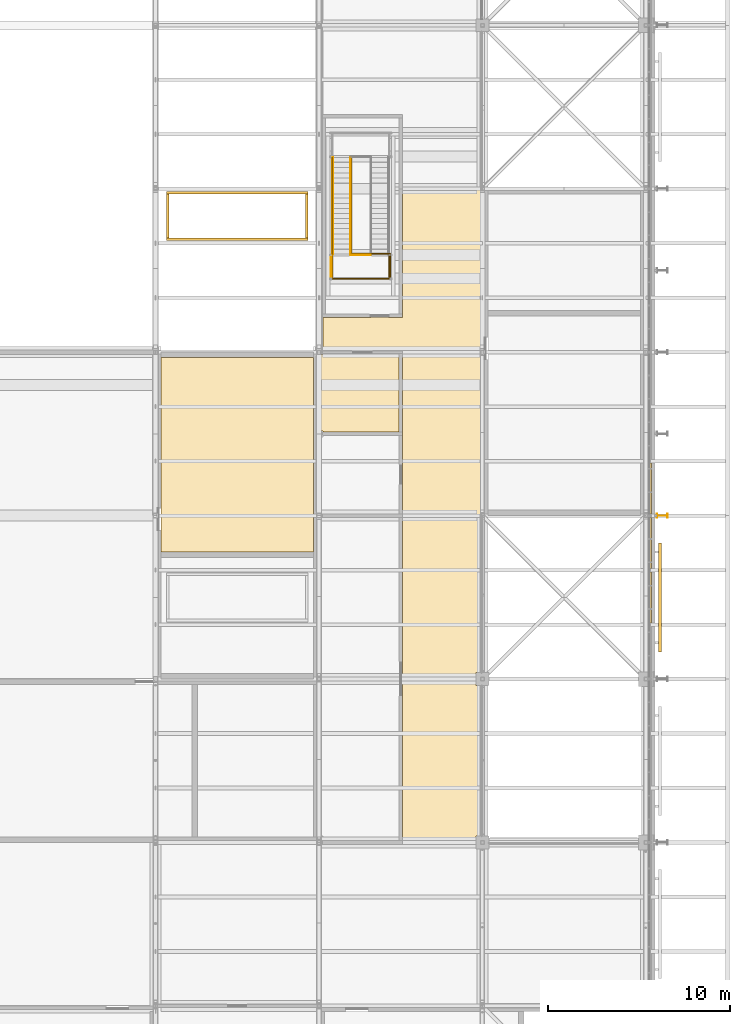
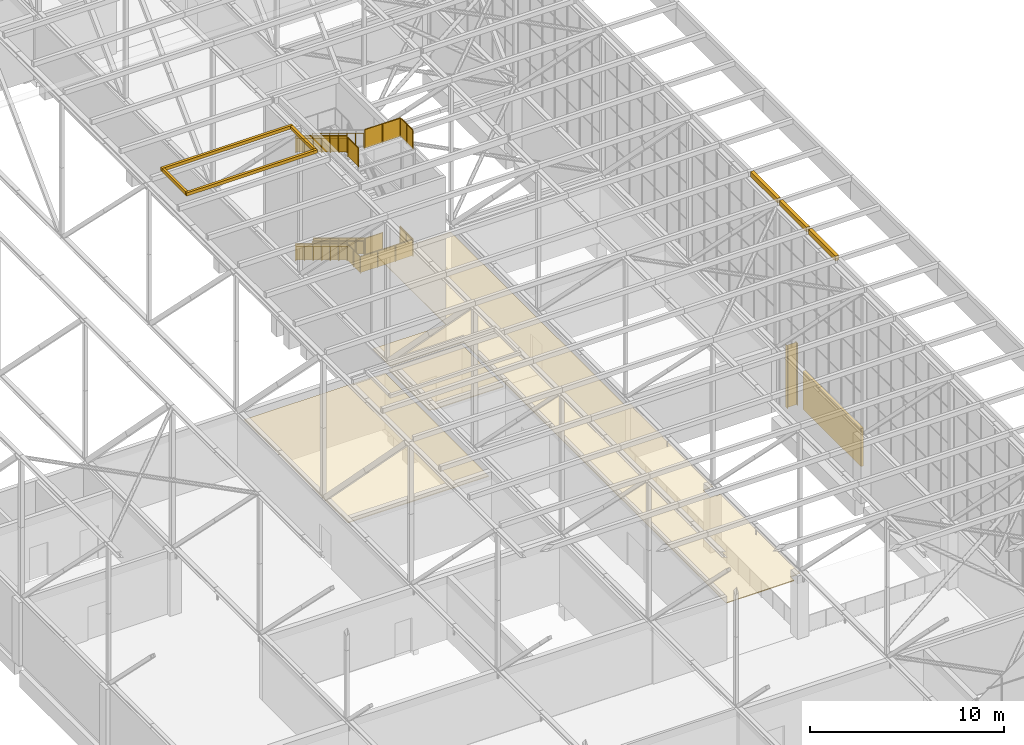
# One storey, part 638 of 646: 11 railings, 10 coverings, 2 shading devices.
"""IFC4 building model written with IfcOpenShell, lengths in metres."""

from ifc_helpers import new_model, si_unit, direction, frame, origin, origin_2d, place, context, subcontext, project, spatial, polyline, rectangle, circle, i_section, outline, extrude, material, layer, layer_set, material_profile, profile_set, type_object, element, save


model = new_model("IFC4")

# Units and contexts
model_context = context("Model", 3, precision=1e-05, world=origin(), true_north=direction((0.0, 1.0)))
body_context = subcontext(model_context, "Body", "Model", "MODEL_VIEW")
ifc_project = project(units=[si_unit("LENGTHUNIT", "METRE"), si_unit("AREAUNIT", "SQUARE_METRE"), si_unit("VOLUMEUNIT", "CUBIC_METRE"), si_unit("PLANEANGLEUNIT", "RADIAN"), si_unit("MASSUNIT", "GRAM", prefix="KILO")], contexts=[model_context])

# Site, building, storey
site_placement = place(None, origin())
site = spatial("IfcSite", under=ifc_project, at=site_placement, CompositionType="ELEMENT")
building_placement = place(site_placement, origin())
building = spatial("IfcBuilding", under=site, at=building_placement, Name="Silverbay Arena", CompositionType="ELEMENT")
storey_placement = place(building_placement, frame((0.0, 0.0, 33.5)))
storey = spatial("IfcBuildingStorey", under=building, at=storey_placement, Name="L05", CompositionType="ELEMENT", Elevation=33.5)

# Railings
ifc_material_1 = material(Name="Stainless steel", Category="steel")
railing_type_1 = type_object("IfcRailingType", Name="Fascia-mounted guard 1250 overall", PredefinedType="GUARDRAIL", material=ifc_material_1)
railing_1_placement = place(storey_placement, frame((192.9208984375, 67.14990234375, 13.449951171875)))
element("IfcRailing", 1, at=railing_1_placement, inside=storey, type_object=railing_type_1, Name="Stair RA2 L05 to ROOF landing 4 fascia guard", PredefinedType="GUARDRAIL", context=body_context, shape_type="SweptSolid", body=[
    extrude(circle(Radius=0.02392578125, at=origin_2d()), frame((0.0, 0.0, 1.22607421875), z_axis=(0.0, 1.0, 0.0), x_axis=(-1.0, 0.0, 0.0)), (0.0, 0.0, 1.0), 1.27099609375),
    extrude(outline(polyline([(-0.008056640625, 0.050048828125), (0.6435546875, 0.050048828125), (0.6435546875, 1.202880859375), (-0.008056640625, 1.202880859375), (-0.008056640625, 0.050048828125)])), frame((-0.0029296875, 0.0, 0.0), z_axis=(1.0, 0.0, 0.0), x_axis=(0.0, 1.0, 0.0)), (0.0, 0.0, 1.0), 0.006103515625),
    extrude(outline(polyline([(-0.008056640625, 0.050048828125), (0.6435546875, 0.050048828125), (0.6435546875, 1.202880859375), (-0.008056640625, 1.202880859375), (-0.008056640625, 0.050048828125)])), frame((-0.0029296875, 0.635498046875, 0.0), z_axis=(1.0, 0.0, 0.0), x_axis=(0.0, 1.0, 0.0)), (0.0, 0.0, 1.0), 0.006103515625),
    extrude(circle(Radius=0.02392578125, at=origin_2d()), frame((0.0, 1.27099609375, 1.22607421875), z_axis=(-1.0, 0.0, 0.0), x_axis=(0.0, -1.0, 0.0)), (0.0, 0.0, 1.0), 2.14599609375),
    extrude(outline(polyline([(-0.008056640625, 0.050048828125), (1.0810546875, 0.050048828125), (1.0810546875, 1.202880859375), (-0.008056640625, 1.202880859375), (-0.008056640625, 0.050048828125)])), frame((0.0, 1.26806640625, 0.0), z_axis=(0.0, 1.0, 0.0), x_axis=(-1.0, 0.0, 0.0)), (0.0, 0.0, 1.0), 0.006103515625),
    extrude(outline(polyline([(-0.008056640625, 0.050048828125), (1.0810546875, 0.050048828125), (1.0810546875, 1.202880859375), (-0.008056640625, 1.202880859375), (-0.008056640625, 0.050048828125)])), frame((-1.072998046875, 1.26806640625, 0.0), z_axis=(0.0, 1.0, 0.0), x_axis=(-1.0, 0.0, 0.0)), (0.0, 0.0, 1.0), 0.006103515625),
    extrude(circle(Radius=0.02099609375, at=origin_2d()), origin(), (0.0, 0.0, 1.0), 1.201904296875),
    extrude(circle(Radius=0.02099609375, at=origin_2d()), frame((0.0, 0.635498046875, 0.0)), (0.0, 0.0, 1.0), 1.201904296875),
    extrude(circle(Radius=0.02099609375, at=origin_2d()), frame((0.0, 1.27099609375, 0.0)), (0.0, 0.0, 1.0), 1.201904296875),
    extrude(circle(Radius=0.02099609375, at=origin_2d()), frame((-1.072998046875, 1.27099609375, 0.0)), (0.0, 0.0, 1.0), 1.201904296875),
    extrude(circle(Radius=0.02099609375, at=origin_2d()), frame((-2.14599609375, 1.27099609375, 0.0)), (0.0, 0.0, 1.0), 1.201904296875),
])
railing_2_placement = place(storey_placement, frame((189.678955078125, 68.25, 13.449951171875)))
element("IfcRailing", 2, at=railing_2_placement, inside=storey, type_object=railing_type_1, Name="Stair RA2 L05 to ROOF landing 4 fascia guard", PredefinedType="GUARDRAIL", context=body_context, shape_type="SweptSolid", body=[
    extrude(circle(Radius=0.02392578125, at=origin_2d()), frame((0.0, 0.0, 1.22607421875), z_axis=(0.0, -1.0, 0.0), x_axis=(1.0, 0.0, 0.0)), (0.0, 0.0, 1.0), 1.10009765625),
    extrude(outline(polyline([(-0.008056640625, 0.050048828125), (1.108154296875, 0.050048828125), (1.108154296875, 1.202880859375), (-0.008056640625, 1.202880859375), (-0.008056640625, 0.050048828125)])), frame((0.0029296875, 0.0, 0.0), z_axis=(-1.0, 0.0, 0.0), x_axis=(0.0, -1.0, 0.0)), (0.0, 0.0, 1.0), 0.006103515625),
    extrude(circle(Radius=0.02099609375, at=origin_2d()), origin(), (0.0, 0.0, 1.0), 1.201904296875),
    extrude(circle(Radius=0.02099609375, at=origin_2d()), frame((0.0, -1.10009765625, 0.0)), (0.0, 0.0, 1.0), 1.201904296875),
])

# Coverings
ifc_material_2 = material(Name="Fire-resisting board ceiling")
ifc_layer_1 = layer(ifc_material_2, 0.050048828125)
ifc_layer_set_1 = layer_set([ifc_layer_1], Name="Fire-resisting board ceiling")
covering_type_1 = type_object("IfcCoveringType", Name="Fire-resisting ceiling EI 120", PredefinedType="CEILING", material=ifc_layer_set_1)
covering_1_placement = place(storey_placement, frame((0.0, 0.0, 3.5)))
element("IfcCovering", 3, at=covering_1_placement, inside=storey, type_object=covering_type_1, Name="Fire-resisting ceiling 10", PredefinedType="CEILING", context=body_context, shape_type="SweptSolid", body=[
    extrude(outline(polyline([(198.27001953125, 36.409912109375), (198.27001953125, 44.590087890625), (198.02001953125, 44.590087890625), (198.02001953125, 44.639892578125), (197.639892578125, 44.639892578125), (197.639892578125, 45.360107421875), (198.02001953125, 45.360107421875), (198.02001953125, 45.409912109375), (198.27001953125, 45.409912109375), (198.27001953125, 53.93994140625), (198.02001953125, 53.93994140625), (198.02001953125, 53.969970703125), (197.969970703125, 53.969970703125), (197.969970703125, 72.02001953125), (193.60009765625, 72.02001953125), (193.60009765625, 64.89990234375), (189.22998046875, 64.89990234375), (189.22998046875, 63.074951171875), (193.60009765625, 63.074951171875), (193.60009765625, 35.97998046875), (197.639892578125, 35.97998046875), (197.639892578125, 36.360107421875), (198.02001953125, 36.360107421875), (198.02001953125, 36.409912109375), (198.27001953125, 36.409912109375)])), origin(), (0.0, 0.0, 1.0), 0.050048828125),
])
covering_2_placement = place(storey_placement, frame((0.0, 0.0, 3.5)))
element("IfcCovering", 4, at=covering_2_placement, inside=storey, type_object=covering_type_1, Name="Fire-resisting ceiling 31", PredefinedType="CEILING", context=body_context, shape_type="SweptSolid", body=[
    extrude(outline(polyline([(189.0, 62.864990234375), (189.0, 58.659912109375), (189.22998046875, 58.659912109375), (189.22998046875, 58.60009765625), (193.39990234375, 58.60009765625), (193.39990234375, 62.925048828125), (189.22998046875, 62.925048828125), (189.22998046875, 62.864990234375), (189.0, 62.864990234375)])), origin(), (0.0, 0.0, 1.0), 0.050048828125),
])
covering_3_placement = place(storey_placement, frame((0.0, 0.0, 3.5)))
element("IfcCovering", 5, at=covering_3_placement, inside=storey, type_object=covering_type_1, Name="Fire-resisting ceiling 75", PredefinedType="CEILING", context=body_context, shape_type="SweptSolid", body=[
    extrude(outline(polyline([(188.699951171875, 52.0), (188.699951171875, 62.699951171875), (180.300048828125, 62.699951171875), (180.300048828125, 52.0), (188.699951171875, 52.0)])), origin(), (0.0, 0.0, 1.0), 0.050048828125),
])
ifc_material_3 = material(Name="Insulated metal cladding panel")
ifc_layer_2 = layer(ifc_material_3, 0.199951171875)
ifc_layer_set_2 = layer_set([ifc_layer_2], Name="Insulated metal cladding panel")
covering_type_2 = type_object("IfcCoveringType", Name="Gable head closer 200", PredefinedType="CLADDING", material=ifc_layer_set_2)
covering_4_placement = place(storey_placement, frame((0.0, 0.0, 13.0)))
element("IfcCovering", 6, at=covering_4_placement, inside=storey, type_object=covering_type_2, Name="ROOF GABLE HEAD CLOSER east 14", PredefinedType="CLADDING", context=body_context, shape_type="SweptSolid", body=[
    extrude(outline(polyline([(207.110107421875, 48.10009765625), (207.31005859375, 48.10009765625), (207.31005859375, 50.89990234375), (207.110107421875, 50.89990234375), (207.110107421875, 48.10009765625)])), origin(), (0.0, 0.0, 1.0), 0.300048828125),
])
covering_5_placement = place(storey_placement, frame((0.0, 0.0, 13.0)))
element("IfcCovering", 7, at=covering_5_placement, inside=storey, type_object=covering_type_2, Name="ROOF GABLE HEAD CLOSER east 15", PredefinedType="CLADDING", context=body_context, shape_type="SweptSolid", body=[
    extrude(outline(polyline([(207.110107421875, 51.10009765625), (207.31005859375, 51.10009765625), (207.31005859375, 53.89990234375), (207.110107421875, 53.89990234375), (207.110107421875, 51.10009765625)])), origin(), (0.0, 0.0, 1.0), 0.300048828125),
])
covering_6_placement = place(storey_placement, frame((0.0, 0.0, 13.0)))
element("IfcCovering", 8, at=covering_6_placement, inside=storey, type_object=covering_type_2, Name="ROOF GABLE HEAD CLOSER east 16", PredefinedType="CLADDING", context=body_context, shape_type="SweptSolid", body=[
    extrude(outline(polyline([(207.110107421875, 54.10009765625), (207.31005859375, 54.10009765625), (207.31005859375, 56.89990234375), (207.110107421875, 56.89990234375), (207.110107421875, 54.10009765625)])), origin(), (0.0, 0.0, 1.0), 0.300048828125),
])

# Shading device
ifc_material_4 = material(Name="Aluminium", Category="aluminium")
shading_device_type_1 = type_object("IfcShadingDeviceType", Name="Louvre screen 6000 x 2400", PredefinedType="JALOUSIE", material=ifc_material_4)
shading_device_1_placement = place(storey_placement, frame((207.77490234375, 49.5, 0.800048828125), z_axis=(0.0, 0.0, 1.0), x_axis=(0.0, 1.0, 0.0)))
element("IfcShadingDevice", 9, at=shading_device_1_placement, inside=storey, type_object=shading_device_type_1, Name="East plant louvre L05 bay 4", PredefinedType="JALOUSIE", context=body_context, shape_type="SweptSolid", body=[
    extrude(rectangle(XDim=6.0, YDim=0.14990234375, at=origin_2d()), origin(), (0.0, 0.0, 1.0), 2.39990234375),
])

# Coverings
ifc_material_5 = material(Name="Insulated metal curb")
ifc_layer_3 = layer(ifc_material_5, 0.14990234375)
ifc_layer_set_3 = layer_set([ifc_layer_3], Name="Insulated metal curb")
covering_type_3 = type_object("IfcCoveringType", Name="Roof light curb 150", PredefinedType="CLADDING", material=ifc_layer_set_3)
covering_7_placement = place(storey_placement, frame((0.0, 0.0, 13.60009765625)))
element("IfcCovering", 10, at=covering_7_placement, inside=storey, type_object=covering_type_3, Name="ROOF LIGHT CURB 04 S", PredefinedType="CLADDING", context=body_context, shape_type="SweptSolid", body=[
    extrude(outline(polyline([(180.60009765625, 69.14990234375), (188.39990234375, 69.14990234375), (188.39990234375, 69.300048828125), (180.60009765625, 69.300048828125), (180.60009765625, 69.14990234375)])), origin(), (0.0, 0.0, 1.0), 0.199951171875),
])
covering_8_placement = place(storey_placement, frame((0.0, 0.0, 13.60009765625)))
element("IfcCovering", 11, at=covering_8_placement, inside=storey, type_object=covering_type_3, Name="ROOF LIGHT CURB 04 N", PredefinedType="CLADDING", context=body_context, shape_type="SweptSolid", body=[
    extrude(outline(polyline([(180.60009765625, 71.699951171875), (188.39990234375, 71.699951171875), (188.39990234375, 71.85009765625), (180.60009765625, 71.85009765625), (180.60009765625, 71.699951171875)])), origin(), (0.0, 0.0, 1.0), 0.199951171875),
])
covering_9_placement = place(storey_placement, frame((0.0, 0.0, 13.60009765625)))
element("IfcCovering", 12, at=covering_9_placement, inside=storey, type_object=covering_type_3, Name="ROOF LIGHT CURB 04 W", PredefinedType="CLADDING", context=body_context, shape_type="SweptSolid", body=[
    extrude(outline(polyline([(180.60009765625, 69.300048828125), (180.75, 69.300048828125), (180.75, 71.699951171875), (180.60009765625, 71.699951171875), (180.60009765625, 69.300048828125)])), origin(), (0.0, 0.0, 1.0), 0.199951171875),
])
covering_10_placement = place(storey_placement, frame((0.0, 0.0, 13.60009765625)))
element("IfcCovering", 13, at=covering_10_placement, inside=storey, type_object=covering_type_3, Name="ROOF LIGHT CURB 04 E", PredefinedType="CLADDING", context=body_context, shape_type="SweptSolid", body=[
    extrude(outline(polyline([(188.25, 69.300048828125), (188.39990234375, 69.300048828125), (188.39990234375, 71.699951171875), (188.25, 71.699951171875), (188.25, 69.300048828125)])), origin(), (0.0, 0.0, 1.0), 0.199951171875),
])

# Railings
ifc_material_6 = material(Name="Stainless steel", Category="steel")
railing_type_2 = type_object("IfcRailingType", Name="Stair guard 1100", PredefinedType="GUARDRAIL", material=ifc_material_6)
railing_3_placement = place(storey_placement, frame((190.77490234375, 73.719970703125, 3.570068359375)))
element("IfcRailing", 14, at=railing_3_placement, inside=storey, type_object=railing_type_2, Name="Stair RA2 L05 to ROOF flight 2 guard left", PredefinedType="GUARDRAIL", context=body_context, shape_type="SweptSolid", body=[
    extrude(circle(Radius=0.02392578125, at=origin_2d()), frame((0.0, 0.0, 1.076171875), z_axis=(0.0, -0.854791865604, 0.518970968838), x_axis=(1.0, 0.0, 0.0)), (0.0, 0.0, 1.0), 6.223876953125),
    extrude(outline(polyline([(-0.008056640625, 0.045166015625), (0.894775390625, 0.59326171875), (0.894775390625, 1.59619140625), (-0.008056640625, 1.048095703125), (-0.008056640625, 0.045166015625)])), frame((0.0029296875, 0.0, 0.0), z_axis=(-1.0, 0.0, 0.0), x_axis=(0.0, -1.0, 0.0)), (0.0, 0.0, 1.0), 0.006103515625),
    extrude(outline(polyline([(-0.008056640625, 0.58349609375), (0.894775390625, 1.131591796875), (0.894775390625, 2.134521484375), (-0.008056640625, 1.58642578125), (-0.008056640625, 0.58349609375)])), frame((0.0029296875, -0.88671875, 0.0), z_axis=(-1.0, 0.0, 0.0), x_axis=(0.0, -1.0, 0.0)), (0.0, 0.0, 1.0), 0.006103515625),
    extrude(outline(polyline([(-0.008056640625, 1.121826171875), (0.894775390625, 1.669921875), (0.894775390625, 2.6728515625), (-0.008056640625, 2.124755859375), (-0.008056640625, 1.121826171875)])), frame((0.0029296875, -1.7734375, 0.0), z_axis=(-1.0, 0.0, 0.0), x_axis=(0.0, -1.0, 0.0)), (0.0, 0.0, 1.0), 0.006103515625),
    extrude(outline(polyline([(-0.008056640625, 1.66015625), (0.894775390625, 2.208251953125), (0.894775390625, 3.211181640625), (-0.008056640625, 2.6630859375), (-0.008056640625, 1.66015625)])), frame((0.0029296875, -2.66015625, 0.0), z_axis=(-1.0, 0.0, 0.0), x_axis=(0.0, -1.0, 0.0)), (0.0, 0.0, 1.0), 0.006103515625),
    extrude(outline(polyline([(-0.008056640625, 2.198486328125), (0.894775390625, 2.74658203125), (0.894775390625, 3.74951171875), (-0.008056640625, 3.201416015625), (-0.008056640625, 2.198486328125)])), frame((0.0029296875, -3.546630859375, 0.0), z_axis=(-1.0, 0.0, 0.0), x_axis=(0.0, -1.0, 0.0)), (0.0, 0.0, 1.0), 0.006103515625),
    extrude(outline(polyline([(-0.008056640625, 2.73681640625), (0.894775390625, 3.284912109375), (0.894775390625, 4.287841796875), (-0.008056640625, 3.73974609375), (-0.008056640625, 2.73681640625)])), frame((0.0029296875, -4.433349609375, 0.0), z_axis=(-1.0, 0.0, 0.0), x_axis=(0.0, -1.0, 0.0)), (0.0, 0.0, 1.0), 0.006103515625),
    extrude(circle(Radius=0.02099609375, at=origin_2d()), origin(), (0.0, 0.0, 1.0), 1.052001953125),
    extrude(circle(Radius=0.02099609375, at=origin_2d()), frame((0.0, -0.88671875, 0.538330078125)), (0.0, 0.0, 1.0), 1.052001953125),
    extrude(circle(Radius=0.02099609375, at=origin_2d()), frame((0.0, -1.7734375, 1.07666015625)), (0.0, 0.0, 1.0), 1.052001953125),
    extrude(circle(Radius=0.02099609375, at=origin_2d()), frame((0.0, -2.66015625, 1.614990234375)), (0.0, 0.0, 1.0), 1.052001953125),
    extrude(circle(Radius=0.02099609375, at=origin_2d()), frame((0.0, -3.546630859375, 2.1533203125)), (0.0, 0.0, 1.0), 1.052001953125),
    extrude(circle(Radius=0.02099609375, at=origin_2d()), frame((0.0, -4.433349609375, 2.691650390625)), (0.0, 0.0, 1.0), 1.052001953125),
    extrude(circle(Radius=0.02099609375, at=origin_2d()), frame((0.0, -5.320068359375, 3.22998046875)), (0.0, 0.0, 1.0), 1.052001953125),
])
railing_4_placement = place(storey_placement, frame((189.72509765625, 73.719970703125, 3.570068359375)))
element("IfcRailing", 15, at=railing_4_placement, inside=storey, type_object=railing_type_2, Name="Stair RA2 L05 to ROOF flight 2 guard right", PredefinedType="GUARDRAIL", context=body_context, shape_type="SweptSolid", body=[
    extrude(circle(Radius=0.02392578125, at=origin_2d()), frame((0.0, 0.0, 1.076171875), z_axis=(0.0, -0.854791865604, 0.518970968838), x_axis=(1.0, 0.0, 0.0)), (0.0, 0.0, 1.0), 6.223876953125),
    extrude(outline(polyline([(-0.008056640625, 0.045166015625), (0.894775390625, 0.59326171875), (0.894775390625, 1.59619140625), (-0.008056640625, 1.048095703125), (-0.008056640625, 0.045166015625)])), frame((0.0029296875, 0.0, 0.0), z_axis=(-1.0, 0.0, 0.0), x_axis=(0.0, -1.0, 0.0)), (0.0, 0.0, 1.0), 0.006103515625),
    extrude(outline(polyline([(-0.008056640625, 0.58349609375), (0.894775390625, 1.131591796875), (0.894775390625, 2.134521484375), (-0.008056640625, 1.58642578125), (-0.008056640625, 0.58349609375)])), frame((0.0029296875, -0.88671875, 0.0), z_axis=(-1.0, 0.0, 0.0), x_axis=(0.0, -1.0, 0.0)), (0.0, 0.0, 1.0), 0.006103515625),
    extrude(outline(polyline([(-0.008056640625, 1.121826171875), (0.894775390625, 1.669921875), (0.894775390625, 2.6728515625), (-0.008056640625, 2.124755859375), (-0.008056640625, 1.121826171875)])), frame((0.0029296875, -1.7734375, 0.0), z_axis=(-1.0, 0.0, 0.0), x_axis=(0.0, -1.0, 0.0)), (0.0, 0.0, 1.0), 0.006103515625),
    extrude(outline(polyline([(-0.008056640625, 1.66015625), (0.894775390625, 2.208251953125), (0.894775390625, 3.211181640625), (-0.008056640625, 2.6630859375), (-0.008056640625, 1.66015625)])), frame((0.0029296875, -2.66015625, 0.0), z_axis=(-1.0, 0.0, 0.0), x_axis=(0.0, -1.0, 0.0)), (0.0, 0.0, 1.0), 0.006103515625),
    extrude(outline(polyline([(-0.008056640625, 2.198486328125), (0.894775390625, 2.74658203125), (0.894775390625, 3.74951171875), (-0.008056640625, 3.201416015625), (-0.008056640625, 2.198486328125)])), frame((0.0029296875, -3.546630859375, 0.0), z_axis=(-1.0, 0.0, 0.0), x_axis=(0.0, -1.0, 0.0)), (0.0, 0.0, 1.0), 0.006103515625),
    extrude(outline(polyline([(-0.008056640625, 2.73681640625), (0.894775390625, 3.284912109375), (0.894775390625, 4.287841796875), (-0.008056640625, 3.73974609375), (-0.008056640625, 2.73681640625)])), frame((0.0029296875, -4.433349609375, 0.0), z_axis=(-1.0, 0.0, 0.0), x_axis=(0.0, -1.0, 0.0)), (0.0, 0.0, 1.0), 0.006103515625),
    extrude(circle(Radius=0.02099609375, at=origin_2d()), origin(), (0.0, 0.0, 1.0), 1.052001953125),
    extrude(circle(Radius=0.02099609375, at=origin_2d()), frame((0.0, -0.88671875, 0.538330078125)), (0.0, 0.0, 1.0), 1.052001953125),
    extrude(circle(Radius=0.02099609375, at=origin_2d()), frame((0.0, -1.7734375, 1.07666015625)), (0.0, 0.0, 1.0), 1.052001953125),
    extrude(circle(Radius=0.02099609375, at=origin_2d()), frame((0.0, -2.66015625, 1.614990234375)), (0.0, 0.0, 1.0), 1.052001953125),
    extrude(circle(Radius=0.02099609375, at=origin_2d()), frame((0.0, -3.546630859375, 2.1533203125)), (0.0, 0.0, 1.0), 1.052001953125),
    extrude(circle(Radius=0.02099609375, at=origin_2d()), frame((0.0, -4.433349609375, 2.691650390625)), (0.0, 0.0, 1.0), 1.052001953125),
    extrude(circle(Radius=0.02099609375, at=origin_2d()), frame((0.0, -5.320068359375, 3.22998046875)), (0.0, 0.0, 1.0), 1.052001953125),
])
railing_5_placement = place(storey_placement, frame((189.72509765625, 73.719970703125, 10.3701171875)))
element("IfcRailing", 16, at=railing_5_placement, inside=storey, type_object=railing_type_2, Name="Stair RA2 L05 to ROOF flight 4 guard right", PredefinedType="GUARDRAIL", context=body_context, shape_type="SweptSolid", body=[
    extrude(circle(Radius=0.02392578125, at=origin_2d()), frame((0.0, 0.0, 1.076171875), z_axis=(0.0, -0.854791865604, 0.518970968838), x_axis=(1.0, 0.0, 0.0)), (0.0, 0.0, 1.0), 6.223876953125),
    extrude(outline(polyline([(-0.008056640625, 0.045166015625), (0.894775390625, 0.59326171875), (0.894775390625, 1.59619140625), (-0.008056640625, 1.048095703125), (-0.008056640625, 0.045166015625)])), frame((0.0029296875, 0.0, 0.0), z_axis=(-1.0, 0.0, 0.0), x_axis=(0.0, -1.0, 0.0)), (0.0, 0.0, 1.0), 0.006103515625),
    extrude(outline(polyline([(-0.008056640625, 0.58349609375), (0.894775390625, 1.131591796875), (0.894775390625, 2.134521484375), (-0.008056640625, 1.58642578125), (-0.008056640625, 0.58349609375)])), frame((0.0029296875, -0.88671875, 0.0), z_axis=(-1.0, 0.0, 0.0), x_axis=(0.0, -1.0, 0.0)), (0.0, 0.0, 1.0), 0.006103515625),
    extrude(outline(polyline([(-0.008056640625, 1.121826171875), (0.894775390625, 1.669921875), (0.894775390625, 2.6728515625), (-0.008056640625, 2.124755859375), (-0.008056640625, 1.121826171875)])), frame((0.0029296875, -1.7734375, 0.0), z_axis=(-1.0, 0.0, 0.0), x_axis=(0.0, -1.0, 0.0)), (0.0, 0.0, 1.0), 0.006103515625),
    extrude(outline(polyline([(-0.008056640625, 1.66015625), (0.894775390625, 2.208251953125), (0.894775390625, 3.211181640625), (-0.008056640625, 2.6630859375), (-0.008056640625, 1.66015625)])), frame((0.0029296875, -2.66015625, 0.0), z_axis=(-1.0, 0.0, 0.0), x_axis=(0.0, -1.0, 0.0)), (0.0, 0.0, 1.0), 0.006103515625),
    extrude(outline(polyline([(-0.008056640625, 2.198486328125), (0.894775390625, 2.74658203125), (0.894775390625, 3.74951171875), (-0.008056640625, 3.201416015625), (-0.008056640625, 2.198486328125)])), frame((0.0029296875, -3.546630859375, 0.0), z_axis=(-1.0, 0.0, 0.0), x_axis=(0.0, -1.0, 0.0)), (0.0, 0.0, 1.0), 0.006103515625),
    extrude(outline(polyline([(-0.008056640625, 2.73681640625), (0.894775390625, 3.284912109375), (0.894775390625, 4.287841796875), (-0.008056640625, 3.73974609375), (-0.008056640625, 2.73681640625)])), frame((0.0029296875, -4.433349609375, 0.0), z_axis=(-1.0, 0.0, 0.0), x_axis=(0.0, -1.0, 0.0)), (0.0, 0.0, 1.0), 0.006103515625),
    extrude(circle(Radius=0.02099609375, at=origin_2d()), origin(), (0.0, 0.0, 1.0), 1.052001953125),
    extrude(circle(Radius=0.02099609375, at=origin_2d()), frame((0.0, -0.88671875, 0.538330078125)), (0.0, 0.0, 1.0), 1.052001953125),
    extrude(circle(Radius=0.02099609375, at=origin_2d()), frame((0.0, -1.7734375, 1.07666015625)), (0.0, 0.0, 1.0), 1.052001953125),
    extrude(circle(Radius=0.02099609375, at=origin_2d()), frame((0.0, -2.66015625, 1.614990234375)), (0.0, 0.0, 1.0), 1.052001953125),
    extrude(circle(Radius=0.02099609375, at=origin_2d()), frame((0.0, -3.546630859375, 2.1533203125)), (0.0, 0.0, 1.0), 1.052001953125),
    extrude(circle(Radius=0.02099609375, at=origin_2d()), frame((0.0, -4.433349609375, 2.691650390625)), (0.0, 0.0, 1.0), 1.052001953125),
    extrude(circle(Radius=0.02099609375, at=origin_2d()), frame((0.0, -5.320068359375, 3.22998046875)), (0.0, 0.0, 1.0), 1.052001953125),
])
railing_6_placement = place(storey_placement, frame((192.875, 68.39990234375, 6.800048828125)))
element("IfcRailing", 17, at=railing_6_placement, inside=storey, type_object=railing_type_2, Name="Stair RA2 L05 to ROOF landing 2 guard", PredefinedType="GUARDRAIL", context=body_context, shape_type="SweptSolid", body=[
    extrude(circle(Radius=0.02392578125, at=origin_2d()), frame((0.0, 0.0, 1.076171875), z_axis=(0.0, -1.0, 0.0), x_axis=(1.0, 0.0, 0.0)), (0.0, 0.0, 1.0), 1.349853515625),
    extrude(outline(polyline([(-0.008056640625, 0.050048828125), (0.682861328125, 0.050048828125), (0.682861328125, 1.052978515625), (-0.008056640625, 1.052978515625), (-0.008056640625, 0.050048828125)])), frame((0.0029296875, 0.0, 0.0), z_axis=(-1.0, 0.0, 0.0), x_axis=(0.0, -1.0, 0.0)), (0.0, 0.0, 1.0), 0.006103515625),
    extrude(outline(polyline([(-0.008056640625, 0.050048828125), (0.682861328125, 0.050048828125), (0.682861328125, 1.052978515625), (-0.008056640625, 1.052978515625), (-0.008056640625, 0.050048828125)])), frame((0.0029296875, -0.6748046875, 0.0), z_axis=(-1.0, 0.0, 0.0), x_axis=(0.0, -1.0, 0.0)), (0.0, 0.0, 1.0), 0.006103515625),
    extrude(circle(Radius=0.02392578125, at=origin_2d()), frame((0.0, -1.349853515625, 1.076171875), z_axis=(-1.0, 0.0, 0.0), x_axis=(0.0, -1.0, 0.0)), (0.0, 0.0, 1.0), 3.14990234375),
    extrude(outline(polyline([(-0.008056640625, 0.050048828125), (1.057861328125, 0.050048828125), (1.057861328125, 1.052978515625), (-0.008056640625, 1.052978515625), (-0.008056640625, 0.050048828125)])), frame((0.0, -1.352783203125, 0.0), z_axis=(0.0, 1.0, 0.0), x_axis=(-1.0, 0.0, 0.0)), (0.0, 0.0, 1.0), 0.006103515625),
    extrude(outline(polyline([(-0.008056640625, 0.050048828125), (1.057861328125, 0.050048828125), (1.057861328125, 1.052978515625), (-0.008056640625, 1.052978515625), (-0.008056640625, 0.050048828125)])), frame((-1.050048828125, -1.352783203125, 0.0), z_axis=(0.0, 1.0, 0.0), x_axis=(-1.0, 0.0, 0.0)), (0.0, 0.0, 1.0), 0.006103515625),
    extrude(outline(polyline([(-0.008056640625, 0.050048828125), (1.057861328125, 0.050048828125), (1.057861328125, 1.052978515625), (-0.008056640625, 1.052978515625), (-0.008056640625, 0.050048828125)])), frame((-2.099853515625, -1.352783203125, 0.0), z_axis=(0.0, 1.0, 0.0), x_axis=(-1.0, 0.0, 0.0)), (0.0, 0.0, 1.0), 0.006103515625),
    extrude(circle(Radius=0.02392578125, at=origin_2d()), frame((-3.14990234375, -1.349853515625, 1.076171875), z_axis=(0.0, 1.0, 0.0), x_axis=(-1.0, 0.0, 0.0)), (0.0, 0.0, 1.0), 1.349853515625),
    extrude(outline(polyline([(-0.008056640625, 0.050048828125), (0.682861328125, 0.050048828125), (0.682861328125, 1.052978515625), (-0.008056640625, 1.052978515625), (-0.008056640625, 0.050048828125)])), frame((-3.15283203125, -1.349853515625, 0.0), z_axis=(1.0, 0.0, 0.0), x_axis=(0.0, 1.0, 0.0)), (0.0, 0.0, 1.0), 0.006103515625),
    extrude(outline(polyline([(-0.008056640625, 0.050048828125), (0.682861328125, 0.050048828125), (0.682861328125, 1.052978515625), (-0.008056640625, 1.052978515625), (-0.008056640625, 0.050048828125)])), frame((-3.15283203125, -0.6748046875, 0.0), z_axis=(1.0, 0.0, 0.0), x_axis=(0.0, 1.0, 0.0)), (0.0, 0.0, 1.0), 0.006103515625),
    extrude(circle(Radius=0.02099609375, at=origin_2d()), origin(), (0.0, 0.0, 1.0), 1.052001953125),
    extrude(circle(Radius=0.02099609375, at=origin_2d()), frame((0.0, -0.6748046875, 0.0)), (0.0, 0.0, 1.0), 1.052001953125),
    extrude(circle(Radius=0.02099609375, at=origin_2d()), frame((0.0, -1.349853515625, 0.0)), (0.0, 0.0, 1.0), 1.052001953125),
    extrude(circle(Radius=0.02099609375, at=origin_2d()), frame((-1.050048828125, -1.349853515625, 0.0)), (0.0, 0.0, 1.0), 1.052001953125),
    extrude(circle(Radius=0.02099609375, at=origin_2d()), frame((-2.099853515625, -1.349853515625, 0.0)), (0.0, 0.0, 1.0), 1.052001953125),
    extrude(circle(Radius=0.02099609375, at=origin_2d()), frame((-3.14990234375, -1.349853515625, 0.0)), (0.0, 0.0, 1.0), 1.052001953125),
    extrude(circle(Radius=0.02099609375, at=origin_2d()), frame((-3.14990234375, -0.6748046875, 0.0)), (0.0, 0.0, 1.0), 1.052001953125),
    extrude(circle(Radius=0.02099609375, at=origin_2d()), frame((-3.14990234375, 0.0, 0.0)), (0.0, 0.0, 1.0), 1.052001953125),
])
railing_7_placement = place(storey_placement, frame((191.824951171875, 68.35009765625, 6.800048828125)))
element("IfcRailing", 18, at=railing_7_placement, inside=storey, type_object=railing_type_2, Name="Stair RA2 L05 to ROOF landing 2 guard", PredefinedType="GUARDRAIL", context=body_context, shape_type="SweptSolid", body=[
    extrude(circle(Radius=0.02392578125, at=origin_2d()), frame((0.0, 0.0, 1.076171875), z_axis=(-1.0, 0.0, 0.0), x_axis=(0.0, -1.0, 0.0)), (0.0, 0.0, 1.0), 1.050048828125),
    extrude(outline(polyline([(-0.008056640625, 0.050048828125), (1.05810546875, 0.050048828125), (1.05810546875, 1.052978515625), (-0.008056640625, 1.052978515625), (-0.008056640625, 0.050048828125)])), frame((0.0, -0.0029296875, 0.0), z_axis=(0.0, 1.0, 0.0), x_axis=(-1.0, 0.0, 0.0)), (0.0, 0.0, 1.0), 0.006103515625),
    extrude(circle(Radius=0.02099609375, at=origin_2d()), origin(), (0.0, 0.0, 1.0), 1.052001953125),
    extrude(circle(Radius=0.02099609375, at=origin_2d()), frame((-1.050048828125, 0.0, 0.0)), (0.0, 0.0, 1.0), 1.052001953125),
])
ifc_material_7 = material(Name="Stainless steel", Category="steel")
railing_type_3 = type_object("IfcRailingType", Name="Stair handrail 900", PredefinedType="HANDRAIL", material=ifc_material_7)
for number, where, name in (
    (19, (190.736083984375, 73.719970703125, 3.570068359375), "Stair RA2 L05 to ROOF flight 2 handrail left"),
    (20, (189.763916015625, 73.719970703125, 3.570068359375), "Stair RA2 L05 to ROOF flight 2 handrail right"),
    (21, (190.736083984375, 73.719970703125, 10.3701171875), "Stair RA2 L05 to ROOF flight 4 handrail left"),
    (22, (189.763916015625, 73.719970703125, 10.3701171875), "Stair RA2 L05 to ROOF flight 4 handrail right"),
):
    element("IfcRailing", number, at=place(storey_placement, frame(where)), inside=storey, type_object=railing_type_3, Name=name, PredefinedType="HANDRAIL", context=body_context, shape_type="SweptSolid", body=[
        extrude(circle(Radius=0.02392578125, at=origin_2d()), frame((0.0, 0.0, 0.8759765625), z_axis=(0.0, -0.854791865604, 0.518970968838), x_axis=(1.0, 0.0, 0.0)), (0.0, 0.0, 1.0), 6.223876953125),
        extrude(circle(Radius=0.02099609375, at=origin_2d()), origin(), (0.0, 0.0, 1.0), 0.851806640625),
        extrude(circle(Radius=0.02099609375, at=origin_2d()), frame((0.0, -0.88671875, 0.538330078125)), (0.0, 0.0, 1.0), 0.851806640625),
        extrude(circle(Radius=0.02099609375, at=origin_2d()), frame((0.0, -1.7734375, 1.07666015625)), (0.0, 0.0, 1.0), 0.851806640625),
        extrude(circle(Radius=0.02099609375, at=origin_2d()), frame((0.0, -2.66015625, 1.614990234375)), (0.0, 0.0, 1.0), 0.851806640625),
        extrude(circle(Radius=0.02099609375, at=origin_2d()), frame((0.0, -3.546630859375, 2.1533203125)), (0.0, 0.0, 1.0), 0.851806640625),
        extrude(circle(Radius=0.02099609375, at=origin_2d()), frame((0.0, -4.433349609375, 2.691650390625)), (0.0, 0.0, 1.0), 0.851806640625),
        extrude(circle(Radius=0.02099609375, at=origin_2d()), frame((0.0, -5.320068359375, 3.22998046875)), (0.0, 0.0, 1.0), 0.851806640625),
    ])

# Shading device
ifc_material_8 = material(Name="Steel S355", Category="steel")
ifc_material_profile = material_profile(ifc_material_8, i_section(OverallWidth=0.2275390625, OverallDepth=0.6025390625, WebThickness=0.010498046875, FlangeThickness=0.014892578125, at=origin_2d()), Name="UB 610x229x101")
ifc_profile_set = profile_set([ifc_material_profile], Name="Steel S355")
shading_device_type_2 = type_object("IfcShadingDeviceType", Name="Steel fin UB 610x229x101", PredefinedType="USERDEFINED", material=ifc_profile_set)
shading_device_2_placement = place(storey_placement, frame((207.9013671875, 54.0, 0.0), z_axis=(0.0, 0.0, 1.0), x_axis=(0.0, 1.0, 0.0)))
element("IfcShadingDevice", 23, at=shading_device_2_placement, inside=storey, type_object=shading_device_type_2, Name="Steel fin E L05 8", ObjectType="FIN", PredefinedType="USERDEFINED", context=body_context, shape_type="SweptSolid", body=[
    extrude(i_section(OverallWidth=0.2275390625, OverallDepth=0.6025390625, WebThickness=0.010498046875, FlangeThickness=0.014892578125, at=origin_2d()), origin(), (0.0, 0.0, 1.0), 3.93994140625),
])

save(model, "model.ifc")
